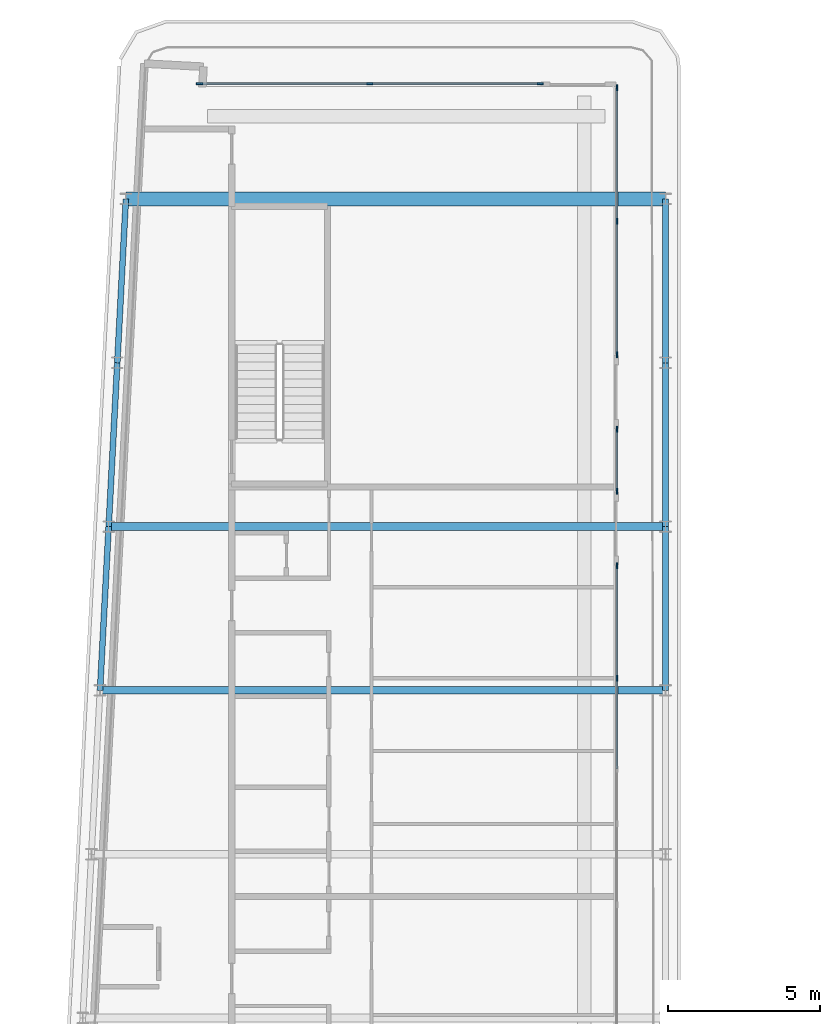
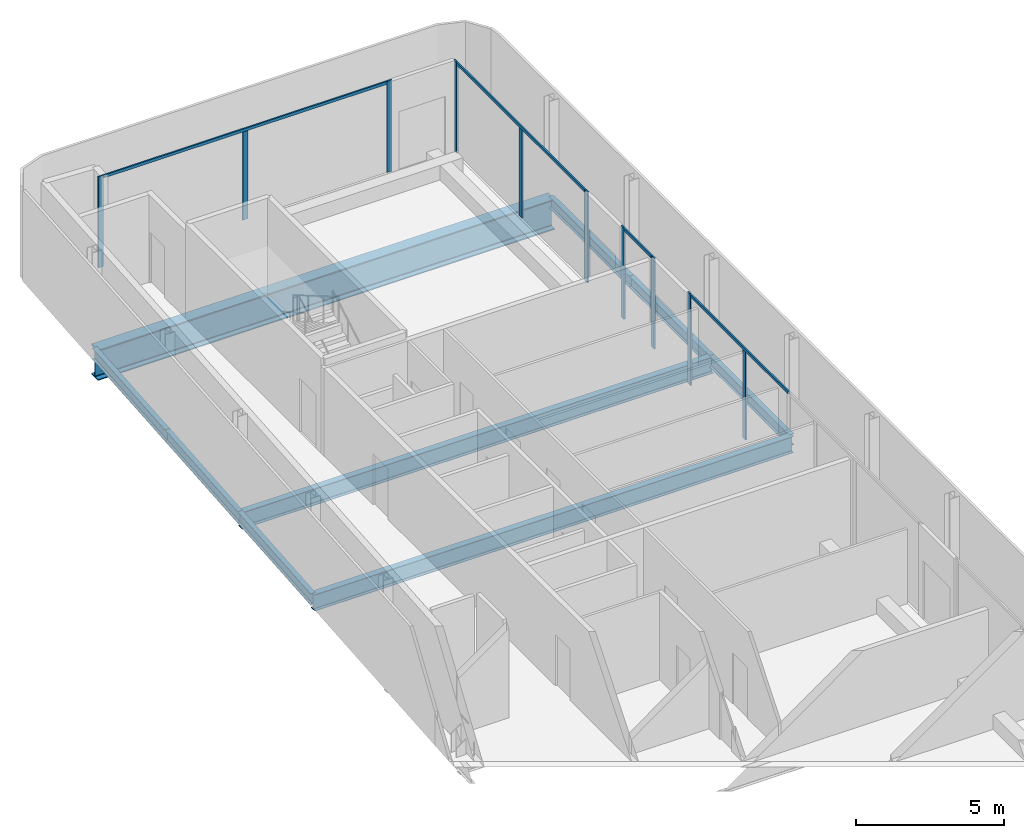
# One storey, part 6 of 19: 14 members, 9 beams, 4 elements without a shape of their own.
"""IFC4 building model written with IfcOpenShell, lengths in metres."""

from ifc_helpers import new_model, si_unit, direction, frame, origin, origin_2d, place, context, subcontext, project, spatial, rectangle, i_section, extrude, material, layer, layer_set, material_profile, profile_set, type_object, element, aggregate, save


model = new_model("IFC4")

# Units and contexts
model_context = context("Model", 3, precision=1e-05, world=origin(), true_north=direction((0.0, 1.0)))
body_context = subcontext(model_context, "Body", "Model", "MODEL_VIEW")
ifc_project = project(units=[si_unit("LENGTHUNIT", "METRE"), si_unit("AREAUNIT", "SQUARE_METRE"), si_unit("VOLUMEUNIT", "CUBIC_METRE"), si_unit("PLANEANGLEUNIT", "RADIAN"), si_unit("MASSUNIT", "GRAM", prefix="KILO")], contexts=[model_context])

# Site, building, storey
site_placement = place(None, origin())
site = spatial("IfcSite", under=ifc_project, at=site_placement, CompositionType="ELEMENT")
building_placement = place(site_placement, origin())
building = spatial("IfcBuilding", under=site, at=building_placement, Name="Kheshtan School and Residences Tower", CompositionType="ELEMENT")
storey_placement = place(building_placement, frame((0.0, 0.0, 353.89990234375)))
storey = spatial("IfcBuildingStorey", under=building, at=storey_placement, Name="L83", CompositionType="ELEMENT", Elevation=353.89990234375)

# Beams
ifc_material_1 = material(Name="Steel ASTM A992 Grade 50", Category="steel")
ifc_material_profile_1 = material_profile(ifc_material_1, i_section(OverallWidth=0.2529296875, OverallDepth=0.677978515625, WebThickness=0.01171875, FlangeThickness=0.016357421875, FilletRadius=0.0146484375, at=origin_2d()), Name="W690x125")
ifc_profile_set_1 = profile_set([ifc_material_profile_1], Name="Steel ASTM A992 Grade 50")
beam_type_1 = type_object("IfcBeamType", Name="Beam FB6 W690x125 ASTM A992 Grade 50", PredefinedType="BEAM", material=ifc_profile_set_1)
beam_1_placement = place(storey_placement, frame((47.60009765625, 78.0, -0.489013671875), z_axis=(-1.0, 0.0, 0.0), x_axis=(0.0, -1.0, 0.0)))
element("IfcBeam", 1, at=beam_1_placement, inside=storey, type_object=beam_type_1, Name="Floor beam C089", PredefinedType="BEAM", context=body_context, shape_type="SweptSolid", body=[
    extrude(i_section(OverallWidth=0.2529296875, OverallDepth=0.677978515625, WebThickness=0.01171875, FlangeThickness=0.016357421875, FilletRadius=0.0146484375, at=origin_2d()), origin(), (0.0, 0.0, 1.0), 18.357177734375),
])
beam_2_placement = place(storey_placement, frame((28.9580078125, 72.60009765625, -0.489013671875), z_axis=(1.0, 0.0, 0.0), x_axis=(0.0, 1.0, 0.0)))
element("IfcBeam", 2, at=beam_2_placement, inside=storey, type_object=beam_type_1, Name="Floor beam C086", PredefinedType="BEAM", context=body_context, shape_type="SweptSolid", body=[
    extrude(i_section(OverallWidth=0.2529296875, OverallDepth=0.677978515625, WebThickness=0.01171875, FlangeThickness=0.016357421875, FilletRadius=0.0146484375, at=origin_2d()), origin(), (0.0, 0.0, 1.0), 18.64208984375),
])
ifc_material_profile_2 = material_profile(ifc_material_1, i_section(OverallWidth=0.18994140625, OverallDepth=0.45703125, WebThickness=0.009033203125, FlangeThickness=0.014404296875, FilletRadius=0.01318359375, at=origin_2d()), Name="W460x74")
ifc_profile_set_2 = profile_set([ifc_material_profile_2], Name="Steel ASTM A992 Grade 50")
beam_type_2 = type_object("IfcBeamType", Name="Beam SP4 W460x74 ASTM A992 Grade 50", PredefinedType="BEAM", material=ifc_profile_set_2)
beam_3_placement = place(storey_placement, frame((47.60009765625, 88.800048828125, -0.37841796875), z_axis=(0.0, -1.0, 0.0), x_axis=(1.0, 0.0, 0.0)))
element("IfcBeam", 3, at=beam_3_placement, inside=storey, type_object=beam_type_2, Name="Spandrel beam C099-C091", PredefinedType="BEAM", context=body_context, shape_type="SweptSolid", body=[
    extrude(i_section(OverallWidth=0.18994140625, OverallDepth=0.45703125, WebThickness=0.009033203125, FlangeThickness=0.014404296875, FilletRadius=0.01318359375, at=origin_2d()), origin(), (0.0, 0.0, 1.0), 5.400146484375),
])
for number, where, z_axis, x_axis, name in (
    (4, (47.60009765625, 83.39990234375, -0.37841796875), (0.0, -1.0, 0.0), (1.0, 0.0, 0.0), "Spandrel beam C091-C089"),
    (5, (47.60009765625, 78.0, -0.37841796875), (0.0, -1.0, 0.0), (1.0, 0.0, 0.0), "Spandrel beam C089-C087"),
):
    element("IfcBeam", number, at=place(storey_placement, frame(where, z_axis=z_axis, x_axis=x_axis)), inside=storey, type_object=beam_type_2, Name=name, PredefinedType="BEAM", context=body_context, shape_type="SweptSolid", body=[
        extrude(i_section(OverallWidth=0.18994140625, OverallDepth=0.45703125, WebThickness=0.009033203125, FlangeThickness=0.014404296875, FilletRadius=0.01318359375, at=origin_2d()), origin(), (0.0, 0.0, 1.0), 5.39990234375),
    ])
for number, where, z_axis, x_axis, name in (
    (6, (28.9580078125, 72.60009765625, -0.37841796875), (0.052689166816, 0.998610961136, 0.0), (-0.998610961136, 0.052689166816, 0.0), "Spandrel beam C086-C088"),
    (7, (29.242919921875, 78.0, -0.37841796875), (0.052554093665, 0.998618078766, 0.0), (-0.998618078766, 0.052554093665, 0.0), "Spandrel beam C088-C090"),
):
    element("IfcBeam", number, at=place(storey_placement, frame(where, z_axis=z_axis, x_axis=x_axis)), inside=storey, type_object=beam_type_2, Name=name, PredefinedType="BEAM", context=body_context, shape_type="SweptSolid", body=[
        extrude(i_section(OverallWidth=0.18994140625, OverallDepth=0.45703125, WebThickness=0.009033203125, FlangeThickness=0.014404296875, FilletRadius=0.01318359375, at=origin_2d()), origin(), (0.0, 0.0, 1.0), 5.407470703125),
    ])
beam_4_placement = place(storey_placement, frame((29.527099609375, 83.39990234375, -0.37841796875), z_axis=(0.05250670125, 0.998620571751, 0.0), x_axis=(-0.998620571751, 0.05250670125, 0.0)))
element("IfcBeam", 8, at=beam_4_placement, inside=storey, type_object=beam_type_2, Name="Spandrel beam C090-C098", PredefinedType="BEAM", context=body_context, shape_type="SweptSolid", body=[
    extrude(i_section(OverallWidth=0.18994140625, OverallDepth=0.45703125, WebThickness=0.009033203125, FlangeThickness=0.014404296875, FilletRadius=0.01318359375, at=origin_2d()), origin(), (0.0, 0.0, 1.0), 5.40771484375),
])

# Curtain wall, members
ifc_material_2 = material(Name="Clear low-e glass in thermally broken aluminium frame", Category="aluminium")
ifc_layer = layer(ifc_material_2, 0.199951171875)
ifc_layer_set = layer_set([ifc_layer], Name="Curtain wall CW-L")
curtain_wall_type = type_object("IfcCurtainWallType", Name="Curtain wall CW-L", PredefinedType="NOTDEFINED", material=ifc_layer_set)
curtain_wall_1_placement = place(storey_placement, origin())
curtain_wall_1 = element("IfcCurtainWall", 9, at=curtain_wall_1_placement, inside=storey, type_object=curtain_wall_type, Name="Curtain wall CWL3a", PredefinedType="NOTDEFINED")
ifc_material_3 = material(Name="Thermally broken aluminium, dark bronze anodised", Category="aluminium")
ifc_material_profile_3 = material_profile(ifc_material_3, rectangle(XDim=0.06005859375, YDim=0.199951171875, at=origin_2d()), Name="CW-L mullion 60x200")
ifc_profile_set_3 = profile_set([ifc_material_profile_3], Name="Thermally broken aluminium, dark bronze anodised")
member_type_1 = type_object("IfcMemberType", Name="CW-L mullion 60x200", PredefinedType="MULLION", material=ifc_profile_set_3)
member_1_placement = place(storey_placement, frame((32.238037109375, 92.60009765625, 0.0), z_axis=(0.0, 0.0, 1.0), x_axis=(0.0, 1.0, 0.0)))
member_1 = element("IfcMember", 10, at=member_1_placement, type_object=member_type_1, Name="CWL3a mullion 1", PredefinedType="MULLION", context=body_context, shape_type="SweptSolid", body=[
    extrude(rectangle(XDim=0.06005859375, YDim=0.199951171875, at=origin_2d()), origin(), (0.0, 0.0, 1.0), 3.75),
])
member_2_placement = place(storey_placement, frame((37.85400390625, 92.60009765625, 0.0), z_axis=(0.0, 0.0, 1.0), x_axis=(0.0, 1.0, 0.0)))
member_2 = element("IfcMember", 11, at=member_2_placement, type_object=member_type_1, Name="CWL3a mullion 2", PredefinedType="MULLION", context=body_context, shape_type="SweptSolid", body=[
    extrude(rectangle(XDim=0.06005859375, YDim=0.199951171875, at=origin_2d()), origin(), (0.0, 0.0, 1.0), 3.630126953125),
])
member_3_placement = place(storey_placement, frame((43.469970703125, 92.60009765625, 0.0), z_axis=(0.0, 0.0, 1.0), x_axis=(0.0, 1.0, 0.0)))
member_3 = element("IfcMember", 12, at=member_3_placement, type_object=member_type_1, Name="CWL3a mullion 3", PredefinedType="MULLION", context=body_context, shape_type="SweptSolid", body=[
    extrude(rectangle(XDim=0.06005859375, YDim=0.199951171875, at=origin_2d()), origin(), (0.0, 0.0, 1.0), 3.75),
])

curtain_wall_2_placement = place(storey_placement, origin())
curtain_wall_2 = element("IfcCurtainWall", 13, at=curtain_wall_2_placement, inside=storey, type_object=curtain_wall_type, Name="Curtain wall CWL4b", PredefinedType="NOTDEFINED")
member_4_placement = place(storey_placement, frame((46.0, 92.469970703125, 0.0), z_axis=(0.0, 0.0, 1.0), x_axis=(1.0, 0.0, 0.0)))
member_4 = element("IfcMember", 14, at=member_4_placement, type_object=member_type_1, Name="CWL4b mullion 1", PredefinedType="MULLION", context=body_context, shape_type="SweptSolid", body=[
    extrude(rectangle(XDim=0.06005859375, YDim=0.199951171875, at=origin_2d()), origin(), (0.0, 0.0, 1.0), 3.75),
])
member_5_placement = place(storey_placement, frame((46.0, 88.066162109375, 0.0), z_axis=(0.0, 0.0, 1.0), x_axis=(1.0, 0.0, 0.0)))
member_5 = element("IfcMember", 15, at=member_5_placement, type_object=member_type_1, Name="CWL4b mullion 2", PredefinedType="MULLION", context=body_context, shape_type="SweptSolid", body=[
    extrude(rectangle(XDim=0.06005859375, YDim=0.199951171875, at=origin_2d()), origin(), (0.0, 0.0, 1.0), 3.630126953125),
])
member_6_placement = place(storey_placement, frame((46.0, 83.66259765625, 0.0), z_axis=(0.0, 0.0, 1.0), x_axis=(1.0, 0.0, 0.0)))
member_6 = element("IfcMember", 16, at=member_6_placement, type_object=member_type_1, Name="CWL4b mullion 3", PredefinedType="MULLION", context=body_context, shape_type="SweptSolid", body=[
    extrude(rectangle(XDim=0.06005859375, YDim=0.199951171875, at=origin_2d()), origin(), (0.0, 0.0, 1.0), 3.75),
])

curtain_wall_3_placement = place(storey_placement, origin())
curtain_wall_3 = element("IfcCurtainWall", 17, at=curtain_wall_3_placement, inside=storey, type_object=curtain_wall_type, Name="Curtain wall CWL4c", PredefinedType="NOTDEFINED")
member_7_placement = place(storey_placement, frame((46.0, 81.202392578125, 0.0), z_axis=(0.0, 0.0, 1.0), x_axis=(1.0, 0.0, 0.0)))
member_7 = element("IfcMember", 18, at=member_7_placement, type_object=member_type_1, Name="CWL4c mullion 1", PredefinedType="MULLION", context=body_context, shape_type="SweptSolid", body=[
    extrude(rectangle(XDim=0.06005859375, YDim=0.199951171875, at=origin_2d()), origin(), (0.0, 0.0, 1.0), 3.75),
])
member_8_placement = place(storey_placement, frame((46.0, 79.16259765625, 0.0), z_axis=(0.0, 0.0, 1.0), x_axis=(1.0, 0.0, 0.0)))
member_8 = element("IfcMember", 19, at=member_8_placement, type_object=member_type_1, Name="CWL4c mullion 2", PredefinedType="MULLION", context=body_context, shape_type="SweptSolid", body=[
    extrude(rectangle(XDim=0.06005859375, YDim=0.199951171875, at=origin_2d()), origin(), (0.0, 0.0, 1.0), 3.75),
])

curtain_wall_4_placement = place(storey_placement, origin())
curtain_wall_4 = element("IfcCurtainWall", 20, at=curtain_wall_4_placement, inside=storey, type_object=curtain_wall_type, Name="Curtain wall CWL4l", PredefinedType="NOTDEFINED")
member_9_placement = place(storey_placement, frame((46.0, 76.702392578125, 0.0), z_axis=(0.0, 0.0, 1.0), x_axis=(1.0, 0.0, 0.0)))
member_9 = element("IfcMember", 21, at=member_9_placement, type_object=member_type_1, Name="CWL4l mullion 1", PredefinedType="MULLION", context=body_context, shape_type="SweptSolid", body=[
    extrude(rectangle(XDim=0.06005859375, YDim=0.199951171875, at=origin_2d()), origin(), (0.0, 0.0, 1.0), 3.75),
])
member_10_placement = place(storey_placement, frame((46.0, 73.0, 0.0), z_axis=(0.0, 0.0, 1.0), x_axis=(1.0, 0.0, 0.0)))
member_10 = element("IfcMember", 22, at=member_10_placement, type_object=member_type_1, Name="CWL4l mullion 2", PredefinedType="MULLION", context=body_context, shape_type="SweptSolid", body=[
    extrude(rectangle(XDim=0.06005859375, YDim=0.199951171875, at=origin_2d()), origin(), (0.0, 0.0, 1.0), 3.630126953125),
])

# Member
ifc_material_profile_4 = material_profile(ifc_material_3, rectangle(XDim=0.06005859375, YDim=0.1201171875, at=origin_2d()), Name="CW-L transom 60x120")
ifc_profile_set_4 = profile_set([ifc_material_profile_4], Name="Thermally broken aluminium, dark bronze anodised")
member_type_2 = type_object("IfcMemberType", Name="CW-L transom 60x120", PredefinedType="USERDEFINED", material=ifc_profile_set_4)
member_11_placement = place(storey_placement, frame((32.26806640625, 92.60009765625, 3.690185546875), z_axis=(1.0, 0.0, 0.0), x_axis=(0.0, 1.0, 0.0)))
member_11 = element("IfcMember", 23, at=member_11_placement, type_object=member_type_2, Name="CWL3a transom 1", ObjectType="TRANSOM", PredefinedType="USERDEFINED", context=body_context, shape_type="SweptSolid", body=[
    extrude(rectangle(XDim=0.06005859375, YDim=0.1201171875, at=origin_2d()), origin(), (0.0, 0.0, 1.0), 11.171875),
])

aggregate(curtain_wall_1, [member_1, member_2, member_3, member_11])

member_12_placement = place(storey_placement, frame((46.0, 92.43994140625, 3.690185546875), z_axis=(0.0, -1.0, 0.0), x_axis=(1.0, 0.0, 0.0)))
member_12 = element("IfcMember", 24, at=member_12_placement, type_object=member_type_2, Name="CWL4b transom 1", ObjectType="TRANSOM", PredefinedType="USERDEFINED", context=body_context, shape_type="SweptSolid", body=[
    extrude(rectangle(XDim=0.06005859375, YDim=0.1201171875, at=origin_2d()), origin(), (0.0, 0.0, 1.0), 8.74755859375),
])

aggregate(curtain_wall_2, [member_4, member_5, member_6, member_12])

member_13_placement = place(storey_placement, frame((46.0, 81.172607421875, 3.690185546875), z_axis=(0.0, -1.0, 0.0), x_axis=(1.0, 0.0, 0.0)))
member_13 = element("IfcMember", 25, at=member_13_placement, type_object=member_type_2, Name="CWL4c transom 1", ObjectType="TRANSOM", PredefinedType="USERDEFINED", context=body_context, shape_type="SweptSolid", body=[
    extrude(rectangle(XDim=0.06005859375, YDim=0.1201171875, at=origin_2d()), origin(), (0.0, 0.0, 1.0), 1.980224609375),
])

aggregate(curtain_wall_3, [member_7, member_8, member_13])

member_14_placement = place(storey_placement, frame((46.0, 76.672607421875, 3.690185546875), z_axis=(0.0, -1.0, 0.0), x_axis=(1.0, 0.0, 0.0)))
member_14 = element("IfcMember", 26, at=member_14_placement, type_object=member_type_2, Name="CWL4l transom 1", ObjectType="TRANSOM", PredefinedType="USERDEFINED", context=body_context, shape_type="SweptSolid", body=[
    extrude(rectangle(XDim=0.06005859375, YDim=0.1201171875, at=origin_2d()), origin(), (0.0, 0.0, 1.0), 6.647705078125),
])

aggregate(curtain_wall_4, [member_9, member_10, member_14])

# Beam
ifc_material_profile_5 = material_profile(ifc_material_1, i_section(OverallWidth=0.449951171875, OverallDepth=1.25, WebThickness=0.02490234375, FlangeThickness=0.044921875, FilletRadius=0.03759765625, at=origin_2d()), Name="WWF1250x546")
ifc_profile_set_5 = profile_set([ifc_material_profile_5], Name="Steel ASTM A992 Grade 50")
beam_type_3 = type_object("IfcBeamType", Name="Transfer girder TG4 WWF1250x546 ASTM A992 Grade 50", PredefinedType="BEAM", material=ifc_profile_set_5)
beam_5_placement = place(storey_placement, frame((29.81103515625, 88.800048828125, -0.77490234375), z_axis=(1.0, 0.0, 0.0), x_axis=(0.0, 1.0, 0.0)))
element("IfcBeam", 27, at=beam_5_placement, inside=storey, type_object=beam_type_3, Name="Transfer girder C098-C099", PredefinedType="BEAM", context=body_context, shape_type="SweptSolid", body=[
    extrude(i_section(OverallWidth=0.449951171875, OverallDepth=1.25, WebThickness=0.02490234375, FlangeThickness=0.044921875, FilletRadius=0.03759765625, at=origin_2d()), origin(), (0.0, 0.0, 1.0), 17.7890625),
])

save(model, "model.ifc")
